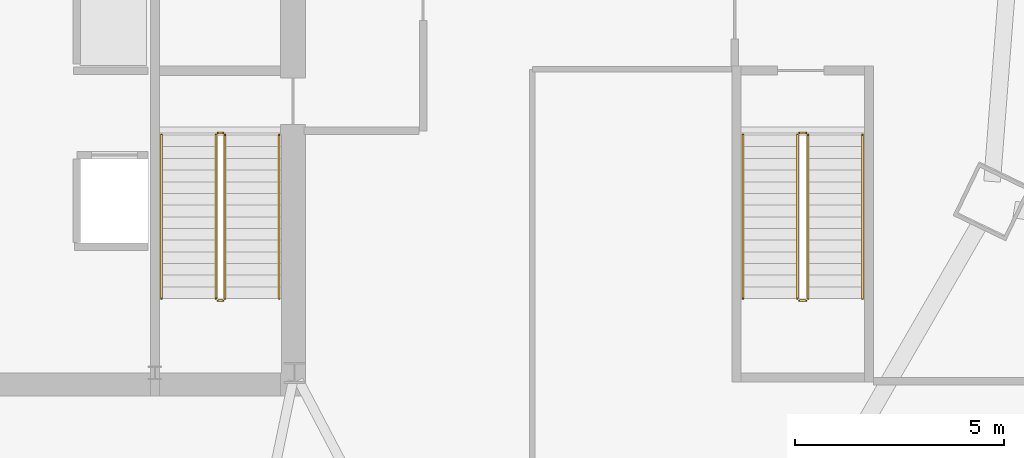
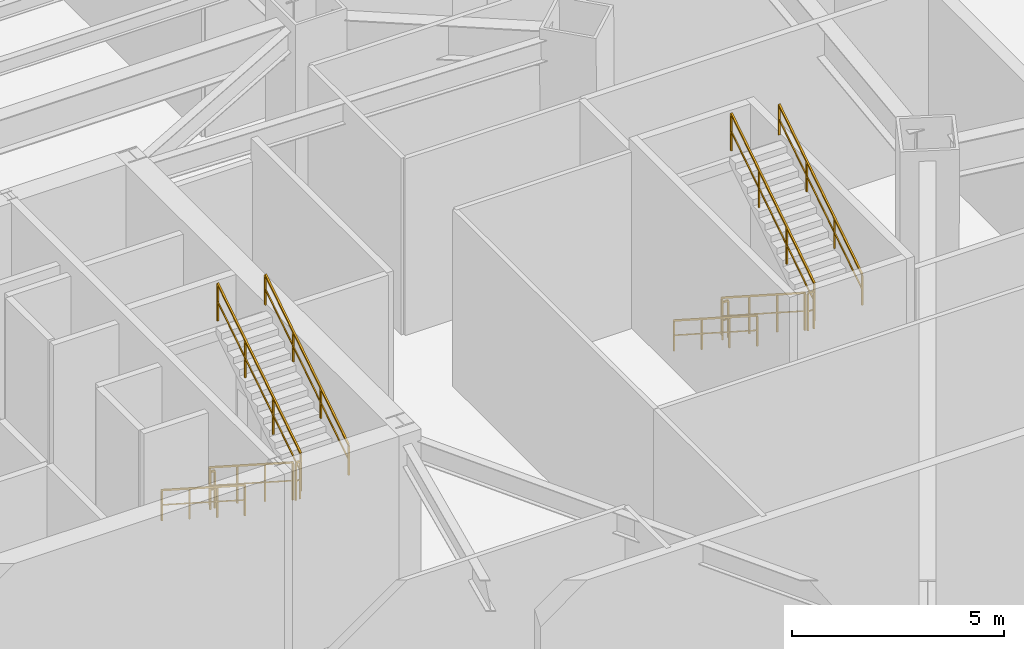
# One storey, part 17 of 19: 12 railings.
"""IFC4 building model written with IfcOpenShell, lengths in metres."""

from ifc_helpers import new_model, si_unit, direction, frame, origin, origin_2d, place, context, subcontext, project, spatial, rectangle, extrude, material, layer, layer_set, type_object, element, save


model = new_model("IFC4")

# Units and contexts
model_context = context("Model", 3, precision=1e-05, world=origin(), true_north=direction((0.0, 1.0)))
body_context = subcontext(model_context, "Body", "Model", "MODEL_VIEW")
ifc_project = project(units=[si_unit("LENGTHUNIT", "METRE"), si_unit("AREAUNIT", "SQUARE_METRE"), si_unit("VOLUMEUNIT", "CUBIC_METRE"), si_unit("PLANEANGLEUNIT", "RADIAN"), si_unit("MASSUNIT", "GRAM", prefix="KILO")], contexts=[model_context])

# Site, building, storey
site_placement = place(None, origin())
site = spatial("IfcSite", under=ifc_project, at=site_placement, CompositionType="ELEMENT")
building_placement = place(site_placement, origin())
building = spatial("IfcBuilding", under=site, at=building_placement, Name="Caelisora Broadcast Tower", CompositionType="ELEMENT")
storey_placement = place(building_placement, origin())
storey = spatial("IfcBuildingStorey", under=building, at=storey_placement, Name="L00", CompositionType="ELEMENT", Elevation=0.0)

# Railings
ifc_material_1 = material(Name="Galvanised Steel Safety Guardrail", Category="steel")
ifc_layer_1 = layer(ifc_material_1, 0.048095703125, Name="Galvanised Steel Safety Guardrail")
ifc_layer_set_1 = layer_set([ifc_layer_1], Name="Galvanised Steel Safety Guardrail")
railing_type_1 = type_object("IfcRailingType", Name="GR-1", PredefinedType="GUARDRAIL", material=ifc_layer_set_1)
railing_1_placement = place(storey_placement, frame((43.610107421875, 23.10009765625, 0.179931640625)))
element("IfcRailing", 1, at=railing_1_placement, inside=storey, type_object=railing_type_1, Name="L00 ST-2 stair guard 1", PredefinedType="GUARDRAIL", context=body_context, shape_type="SweptSolid", body=[
    extrude(rectangle(XDim=0.048095703125, YDim=0.048095703125, at=origin_2d()), frame((0.0, 0.0, 1.076171875), z_axis=(0.0, -0.841186985886, 0.540744352514), x_axis=(1.0, 0.0, 0.0)), (0.0, 0.0, 1.0), 4.660400390625),
    extrude(rectangle(XDim=0.03125, YDim=0.03125, at=origin_2d()), frame((0.0, 0.0, 0.550048828125), z_axis=(0.0, -0.841186985886, 0.540744352514), x_axis=(1.0, 0.0, 0.0)), (0.0, 0.0, 1.0), 4.660400390625),
    extrude(rectangle(XDim=0.0419921875, YDim=0.0419921875, at=origin_2d()), origin(), (0.0, 0.0, 1.0), 1.052001953125),
    extrude(rectangle(XDim=0.0419921875, YDim=0.0419921875, at=origin_2d()), frame((0.0, -1.306640625, 0.840087890625)), (0.0, 0.0, 1.0), 1.052001953125),
    extrude(rectangle(XDim=0.0419921875, YDim=0.0419921875, at=origin_2d()), frame((0.0, -2.613525390625, 1.679931640625)), (0.0, 0.0, 1.0), 1.052001953125),
    extrude(rectangle(XDim=0.0419921875, YDim=0.0419921875, at=origin_2d()), frame((0.0, -3.920166015625, 2.52001953125)), (0.0, 0.0, 1.0), 1.052001953125),
])
railing_2_placement = place(storey_placement, frame((43.659912109375, 19.1298828125, 2.699951171875)))
element("IfcRailing", 2, at=railing_2_placement, inside=storey, type_object=railing_type_1, Name="L00 ST-2 stair guard 2", PredefinedType="GUARDRAIL", context=body_context, shape_type="SweptSolid", body=[
    extrude(rectangle(XDim=0.048095703125, YDim=0.048095703125, at=origin_2d()), frame((0.0, 0.0, 1.076171875), z_axis=(1.0, 0.0, 0.0), x_axis=(0.0, 1.0, 0.0)), (0.0, 0.0, 1.0), 0.1201171875),
    extrude(rectangle(XDim=0.03125, YDim=0.03125, at=origin_2d()), frame((0.0, 0.0, 0.550048828125), z_axis=(1.0, 0.0, 0.0), x_axis=(0.0, 1.0, 0.0)), (0.0, 0.0, 1.0), 0.1201171875),
    extrude(rectangle(XDim=0.0419921875, YDim=0.0419921875, at=origin_2d()), origin(), (0.0, 0.0, 1.0), 1.052001953125),
    extrude(rectangle(XDim=0.0419921875, YDim=0.0419921875, at=origin_2d()), frame((0.1201171875, 0.0, 0.0)), (0.0, 0.0, 1.0), 1.052001953125),
])
railing_3_placement = place(storey_placement, frame((43.830078125, 19.179931640625, 2.8798828125)))
element("IfcRailing", 3, at=railing_3_placement, inside=storey, type_object=railing_type_1, Name="L00 ST-2 stair guard 3", PredefinedType="GUARDRAIL", context=body_context, shape_type="SweptSolid", body=[
    extrude(rectangle(XDim=0.048095703125, YDim=0.048095703125, at=origin_2d()), frame((0.0, 0.0, 1.076171875), z_axis=(0.0, 0.841186985886, 0.540744352514), x_axis=(-1.0, 0.0, 0.0)), (0.0, 0.0, 1.0), 4.660400390625),
    extrude(rectangle(XDim=0.03125, YDim=0.03125, at=origin_2d()), frame((0.0, 0.0, 0.550048828125), z_axis=(0.0, 0.841186985886, 0.540744352514), x_axis=(-1.0, 0.0, 0.0)), (0.0, 0.0, 1.0), 4.660400390625),
    extrude(rectangle(XDim=0.0419921875, YDim=0.0419921875, at=origin_2d()), origin(), (0.0, 0.0, 1.0), 1.052001953125),
    extrude(rectangle(XDim=0.0419921875, YDim=0.0419921875, at=origin_2d()), frame((0.0, 1.306640625, 0.840087890625)), (0.0, 0.0, 1.0), 1.052001953125),
    extrude(rectangle(XDim=0.0419921875, YDim=0.0419921875, at=origin_2d()), frame((0.0, 2.613525390625, 1.679931640625)), (0.0, 0.0, 1.0), 1.052001953125),
    extrude(rectangle(XDim=0.0419921875, YDim=0.0419921875, at=origin_2d()), frame((0.0, 3.920166015625, 2.52001953125)), (0.0, 0.0, 1.0), 1.052001953125),
])
railing_4_placement = place(storey_placement, frame((43.659912109375, 23.14990234375, 0.0)))
element("IfcRailing", 4, at=railing_4_placement, inside=storey, type_object=railing_type_1, Name="L00 ST-2 stair guard 4", PredefinedType="GUARDRAIL", context=body_context, shape_type="SweptSolid", body=[
    extrude(rectangle(XDim=0.048095703125, YDim=0.048095703125, at=origin_2d()), frame((0.0, 0.0, 1.076171875), z_axis=(1.0, 0.0, 0.0), x_axis=(0.0, 1.0, 0.0)), (0.0, 0.0, 1.0), 0.1201171875),
    extrude(rectangle(XDim=0.03125, YDim=0.03125, at=origin_2d()), frame((0.0, 0.0, 0.550048828125), z_axis=(1.0, 0.0, 0.0), x_axis=(0.0, 1.0, 0.0)), (0.0, 0.0, 1.0), 0.1201171875),
    extrude(rectangle(XDim=0.0419921875, YDim=0.0419921875, at=origin_2d()), origin(), (0.0, 0.0, 1.0), 1.052001953125),
    extrude(rectangle(XDim=0.0419921875, YDim=0.0419921875, at=origin_2d()), frame((0.1201171875, 0.0, 0.0)), (0.0, 0.0, 1.0), 1.052001953125),
])
railing_5_placement = place(storey_placement, frame((57.550048828125, 23.10009765625, 0.179931640625)))
element("IfcRailing", 5, at=railing_5_placement, inside=storey, type_object=railing_type_1, Name="L00 ST-3 stair guard 1", PredefinedType="GUARDRAIL", context=body_context, shape_type="SweptSolid", body=[
    extrude(rectangle(XDim=0.048095703125, YDim=0.048095703125, at=origin_2d()), frame((0.0, 0.0, 1.076171875), z_axis=(0.0, -0.841186985886, 0.540744352514), x_axis=(1.0, 0.0, 0.0)), (0.0, 0.0, 1.0), 4.660400390625),
    extrude(rectangle(XDim=0.03125, YDim=0.03125, at=origin_2d()), frame((0.0, 0.0, 0.550048828125), z_axis=(0.0, -0.841186985886, 0.540744352514), x_axis=(1.0, 0.0, 0.0)), (0.0, 0.0, 1.0), 4.660400390625),
    extrude(rectangle(XDim=0.0419921875, YDim=0.0419921875, at=origin_2d()), origin(), (0.0, 0.0, 1.0), 1.052001953125),
    extrude(rectangle(XDim=0.0419921875, YDim=0.0419921875, at=origin_2d()), frame((0.0, -1.306640625, 0.840087890625)), (0.0, 0.0, 1.0), 1.052001953125),
    extrude(rectangle(XDim=0.0419921875, YDim=0.0419921875, at=origin_2d()), frame((0.0, -2.613525390625, 1.679931640625)), (0.0, 0.0, 1.0), 1.052001953125),
    extrude(rectangle(XDim=0.0419921875, YDim=0.0419921875, at=origin_2d()), frame((0.0, -3.920166015625, 2.52001953125)), (0.0, 0.0, 1.0), 1.052001953125),
])
railing_6_placement = place(storey_placement, frame((57.60009765625, 19.1298828125, 2.699951171875)))
element("IfcRailing", 6, at=railing_6_placement, inside=storey, type_object=railing_type_1, Name="L00 ST-3 stair guard 2", PredefinedType="GUARDRAIL", context=body_context, shape_type="SweptSolid", body=[
    extrude(rectangle(XDim=0.048095703125, YDim=0.048095703125, at=origin_2d()), frame((0.0, 0.0, 1.076171875), z_axis=(1.0, 0.0, 0.0), x_axis=(0.0, 1.0, 0.0)), (0.0, 0.0, 1.0), 0.159912109375),
    extrude(rectangle(XDim=0.03125, YDim=0.03125, at=origin_2d()), frame((0.0, 0.0, 0.550048828125), z_axis=(1.0, 0.0, 0.0), x_axis=(0.0, 1.0, 0.0)), (0.0, 0.0, 1.0), 0.159912109375),
    extrude(rectangle(XDim=0.0419921875, YDim=0.0419921875, at=origin_2d()), origin(), (0.0, 0.0, 1.0), 1.052001953125),
    extrude(rectangle(XDim=0.0419921875, YDim=0.0419921875, at=origin_2d()), frame((0.159912109375, 0.0, 0.0)), (0.0, 0.0, 1.0), 1.052001953125),
])
railing_7_placement = place(storey_placement, frame((57.81005859375, 19.179931640625, 2.8798828125)))
element("IfcRailing", 7, at=railing_7_placement, inside=storey, type_object=railing_type_1, Name="L00 ST-3 stair guard 3", PredefinedType="GUARDRAIL", context=body_context, shape_type="SweptSolid", body=[
    extrude(rectangle(XDim=0.048095703125, YDim=0.048095703125, at=origin_2d()), frame((0.0, 0.0, 1.076171875), z_axis=(0.0, 0.841186985886, 0.540744352514), x_axis=(-1.0, 0.0, 0.0)), (0.0, 0.0, 1.0), 4.660400390625),
    extrude(rectangle(XDim=0.03125, YDim=0.03125, at=origin_2d()), frame((0.0, 0.0, 0.550048828125), z_axis=(0.0, 0.841186985886, 0.540744352514), x_axis=(-1.0, 0.0, 0.0)), (0.0, 0.0, 1.0), 4.660400390625),
    extrude(rectangle(XDim=0.0419921875, YDim=0.0419921875, at=origin_2d()), origin(), (0.0, 0.0, 1.0), 1.052001953125),
    extrude(rectangle(XDim=0.0419921875, YDim=0.0419921875, at=origin_2d()), frame((0.0, 1.306640625, 0.840087890625)), (0.0, 0.0, 1.0), 1.052001953125),
    extrude(rectangle(XDim=0.0419921875, YDim=0.0419921875, at=origin_2d()), frame((0.0, 2.613525390625, 1.679931640625)), (0.0, 0.0, 1.0), 1.052001953125),
    extrude(rectangle(XDim=0.0419921875, YDim=0.0419921875, at=origin_2d()), frame((0.0, 3.920166015625, 2.52001953125)), (0.0, 0.0, 1.0), 1.052001953125),
])
railing_8_placement = place(storey_placement, frame((57.60009765625, 23.14990234375, 0.0)))
element("IfcRailing", 8, at=railing_8_placement, inside=storey, type_object=railing_type_1, Name="L00 ST-3 stair guard 4", PredefinedType="GUARDRAIL", context=body_context, shape_type="SweptSolid", body=[
    extrude(rectangle(XDim=0.048095703125, YDim=0.048095703125, at=origin_2d()), frame((0.0, 0.0, 1.076171875), z_axis=(1.0, 0.0, 0.0), x_axis=(0.0, 1.0, 0.0)), (0.0, 0.0, 1.0), 0.159912109375),
    extrude(rectangle(XDim=0.03125, YDim=0.03125, at=origin_2d()), frame((0.0, 0.0, 0.550048828125), z_axis=(1.0, 0.0, 0.0), x_axis=(0.0, 1.0, 0.0)), (0.0, 0.0, 1.0), 0.159912109375),
    extrude(rectangle(XDim=0.0419921875, YDim=0.0419921875, at=origin_2d()), origin(), (0.0, 0.0, 1.0), 1.052001953125),
    extrude(rectangle(XDim=0.0419921875, YDim=0.0419921875, at=origin_2d()), frame((0.159912109375, 0.0, 0.0)), (0.0, 0.0, 1.0), 1.052001953125),
])
ifc_material_2 = material(Name="Stainless Steel Grade 316 Tubular Handrail", Category="steel")
ifc_layer_2 = layer(ifc_material_2, 0.048095703125, Name="Stainless Steel Grade 316 Tubular Handrail")
ifc_layer_set_2 = layer_set([ifc_layer_2], Name="Stainless Steel Grade 316 Tubular Handrail")
railing_type_2 = type_object("IfcRailingType", Name="HR-1", PredefinedType="HANDRAIL", material=ifc_layer_set_2)
railing_9_placement = place(storey_placement, frame((42.31005859375, 23.10009765625, 0.179931640625)))
element("IfcRailing", 9, at=railing_9_placement, inside=storey, type_object=railing_type_2, Name="L00 ST-2 stair handrail 1", PredefinedType="HANDRAIL", context=body_context, shape_type="SweptSolid", body=[
    extrude(rectangle(XDim=0.048095703125, YDim=0.048095703125, at=origin_2d()), frame((0.0, 0.0, 0.8759765625), z_axis=(0.0, -0.841186985886, 0.540744352514), x_axis=(1.0, 0.0, 0.0)), (0.0, 0.0, 1.0), 4.660400390625),
    extrude(rectangle(XDim=0.03125, YDim=0.03125, at=origin_2d()), frame((0.0, 0.0, 0.449951171875), z_axis=(0.0, -0.841186985886, 0.540744352514), x_axis=(1.0, 0.0, 0.0)), (0.0, 0.0, 1.0), 4.660400390625),
    extrude(rectangle(XDim=0.0419921875, YDim=0.0419921875, at=origin_2d()), origin(), (0.0, 0.0, 1.0), 0.851806640625),
    extrude(rectangle(XDim=0.0419921875, YDim=0.0419921875, at=origin_2d()), frame((0.0, -1.306640625, 0.840087890625)), (0.0, 0.0, 1.0), 0.851806640625),
    extrude(rectangle(XDim=0.0419921875, YDim=0.0419921875, at=origin_2d()), frame((0.0, -2.613525390625, 1.679931640625)), (0.0, 0.0, 1.0), 0.851806640625),
    extrude(rectangle(XDim=0.0419921875, YDim=0.0419921875, at=origin_2d()), frame((0.0, -3.920166015625, 2.52001953125)), (0.0, 0.0, 1.0), 0.851806640625),
])
railing_10_placement = place(storey_placement, frame((45.1298828125, 19.179931640625, 2.8798828125)))
element("IfcRailing", 10, at=railing_10_placement, inside=storey, type_object=railing_type_2, Name="L00 ST-2 stair handrail 2", PredefinedType="HANDRAIL", context=body_context, shape_type="SweptSolid", body=[
    extrude(rectangle(XDim=0.048095703125, YDim=0.048095703125, at=origin_2d()), frame((0.0, 0.0, 0.8759765625), z_axis=(0.0, 0.841186985886, 0.540744352514), x_axis=(-1.0, 0.0, 0.0)), (0.0, 0.0, 1.0), 4.660400390625),
    extrude(rectangle(XDim=0.03125, YDim=0.03125, at=origin_2d()), frame((0.0, 0.0, 0.449951171875), z_axis=(0.0, 0.841186985886, 0.540744352514), x_axis=(-1.0, 0.0, 0.0)), (0.0, 0.0, 1.0), 4.660400390625),
    extrude(rectangle(XDim=0.0419921875, YDim=0.0419921875, at=origin_2d()), origin(), (0.0, 0.0, 1.0), 0.851806640625),
    extrude(rectangle(XDim=0.0419921875, YDim=0.0419921875, at=origin_2d()), frame((0.0, 1.306640625, 0.840087890625)), (0.0, 0.0, 1.0), 0.851806640625),
    extrude(rectangle(XDim=0.0419921875, YDim=0.0419921875, at=origin_2d()), frame((0.0, 2.613525390625, 1.679931640625)), (0.0, 0.0, 1.0), 0.851806640625),
    extrude(rectangle(XDim=0.0419921875, YDim=0.0419921875, at=origin_2d()), frame((0.0, 3.920166015625, 2.52001953125)), (0.0, 0.0, 1.0), 0.851806640625),
])
railing_11_placement = place(storey_placement, frame((56.25, 23.10009765625, 0.179931640625)))
element("IfcRailing", 11, at=railing_11_placement, inside=storey, type_object=railing_type_2, Name="L00 ST-3 stair handrail 1", PredefinedType="HANDRAIL", context=body_context, shape_type="SweptSolid", body=[
    extrude(rectangle(XDim=0.048095703125, YDim=0.048095703125, at=origin_2d()), frame((0.0, 0.0, 0.8759765625), z_axis=(0.0, -0.841186985886, 0.540744352514), x_axis=(1.0, 0.0, 0.0)), (0.0, 0.0, 1.0), 4.660400390625),
    extrude(rectangle(XDim=0.03125, YDim=0.03125, at=origin_2d()), frame((0.0, 0.0, 0.449951171875), z_axis=(0.0, -0.841186985886, 0.540744352514), x_axis=(1.0, 0.0, 0.0)), (0.0, 0.0, 1.0), 4.660400390625),
    extrude(rectangle(XDim=0.0419921875, YDim=0.0419921875, at=origin_2d()), origin(), (0.0, 0.0, 1.0), 0.851806640625),
    extrude(rectangle(XDim=0.0419921875, YDim=0.0419921875, at=origin_2d()), frame((0.0, -1.306640625, 0.840087890625)), (0.0, 0.0, 1.0), 0.851806640625),
    extrude(rectangle(XDim=0.0419921875, YDim=0.0419921875, at=origin_2d()), frame((0.0, -2.613525390625, 1.679931640625)), (0.0, 0.0, 1.0), 0.851806640625),
    extrude(rectangle(XDim=0.0419921875, YDim=0.0419921875, at=origin_2d()), frame((0.0, -3.920166015625, 2.52001953125)), (0.0, 0.0, 1.0), 0.851806640625),
])
railing_12_placement = place(storey_placement, frame((59.110107421875, 19.179931640625, 2.8798828125)))
element("IfcRailing", 12, at=railing_12_placement, inside=storey, type_object=railing_type_2, Name="L00 ST-3 stair handrail 2", PredefinedType="HANDRAIL", context=body_context, shape_type="SweptSolid", body=[
    extrude(rectangle(XDim=0.048095703125, YDim=0.048095703125, at=origin_2d()), frame((0.0, 0.0, 0.8759765625), z_axis=(0.0, 0.841186985886, 0.540744352514), x_axis=(-1.0, 0.0, 0.0)), (0.0, 0.0, 1.0), 4.660400390625),
    extrude(rectangle(XDim=0.03125, YDim=0.03125, at=origin_2d()), frame((0.0, 0.0, 0.449951171875), z_axis=(0.0, 0.841186985886, 0.540744352514), x_axis=(-1.0, 0.0, 0.0)), (0.0, 0.0, 1.0), 4.660400390625),
    extrude(rectangle(XDim=0.0419921875, YDim=0.0419921875, at=origin_2d()), origin(), (0.0, 0.0, 1.0), 0.851806640625),
    extrude(rectangle(XDim=0.0419921875, YDim=0.0419921875, at=origin_2d()), frame((0.0, 1.306640625, 0.840087890625)), (0.0, 0.0, 1.0), 0.851806640625),
    extrude(rectangle(XDim=0.0419921875, YDim=0.0419921875, at=origin_2d()), frame((0.0, 2.613525390625, 1.679931640625)), (0.0, 0.0, 1.0), 0.851806640625),
    extrude(rectangle(XDim=0.0419921875, YDim=0.0419921875, at=origin_2d()), frame((0.0, 3.920166015625, 2.52001953125)), (0.0, 0.0, 1.0), 0.851806640625),
])

save(model, "model.ifc")
